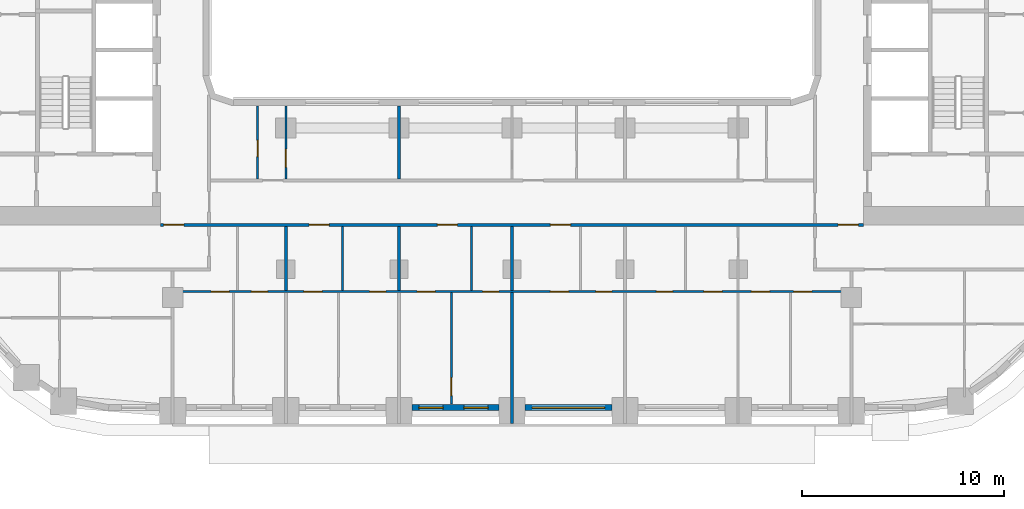
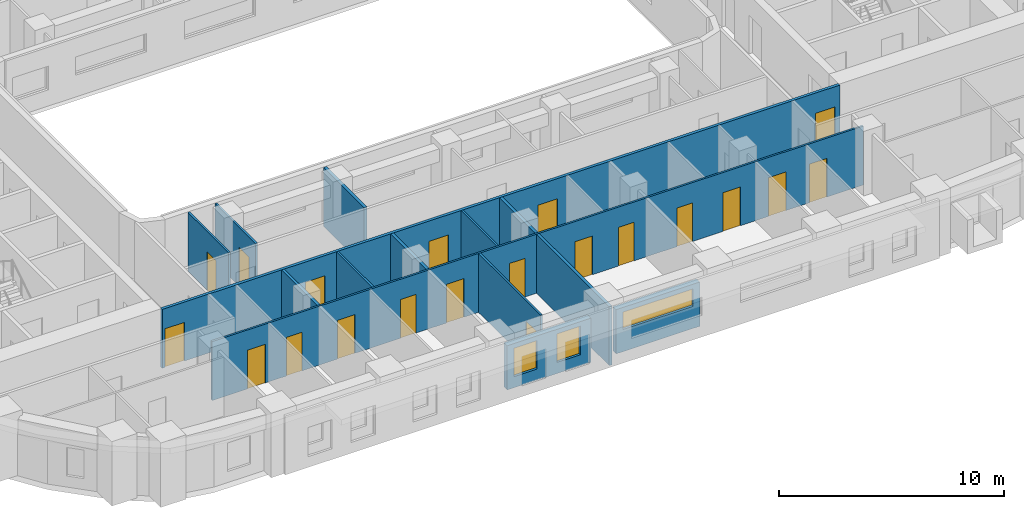
# One storey, part 3 of 23: 20 doors, 14 walls, 3 windows, 23 openings.
"""IFC4 building model written with IfcOpenShell, lengths in metres."""

import ifcopenshell
import ifcopenshell.guid

model = None  # the IFC model being written
_history = None  # IfcOwnerHistory: only IFC2X3 demands one
_inside = {}  # id of a spatial element -> (the spatial element, [elements in it])
_under = {}  # id of a project, library or spatial element -> (it, [spatial elements below it])
_declared = {}  # id of a project -> (the project, [libraries it declares])
_typed = {}  # id of a type object -> (the type object, [elements of that type])
_made_of = {}  # id of a material, layer set ... -> (it, [elements and type objects made of it])


def new_model(schema):
    """Start an empty IFC model of exactly this schema.

    Asked for "IFC4X3", IfcOpenShell would pick the latest addendum, in which some entities
    have other attributes; the version numbers below select the first issue.
    IFC2X3 requires an IfcOwnerHistory on every rooted entity: one is made here for all.
    """
    global model, _history
    if schema == "IFC4X3":
        model = ifcopenshell.file(schema_version=(4, 3, 0, 0))
    else:
        model = ifcopenshell.file(schema=schema)
    _inside.clear()
    _under.clear()
    _declared.clear()
    _typed.clear()
    _made_of.clear()
    _history = None
    if model.schema == "IFC2X3":
        org = make("IfcOrganization", Name="unknown")
        user = make(
            "IfcPersonAndOrganization",
            ThePerson=make("IfcPerson", FamilyName="unknown"),
            TheOrganization=org,
        )
        app = make(
            "IfcApplication",
            ApplicationDeveloper=org,
            Version="unknown",
            ApplicationFullName="unknown",
            ApplicationIdentifier="unknown",
        )
        _history = make(
            "IfcOwnerHistory",
            OwningUser=user,
            OwningApplication=app,
            ChangeAction="ADDED",
            CreationDate=0,
        )
    return model


def make(cls, **values):
    """One entity of the class cls with the attributes given. An attribute that is None is left unset."""
    return model.create_entity(
        cls, **{name: value for name, value in values.items() if value is not None}
    )


def rooted(cls, **values):
    """An entity with a GlobalId (a new one), such as an element, a storey or a relation."""
    return make(cls, GlobalId=ifcopenshell.guid.new(), OwnerHistory=_history, **values)


def si_unit(unit_type, name, prefix=None):
    """IfcSIUnit, for example si_unit("LENGTHUNIT", "METRE", prefix="MILLI")."""
    return make("IfcSIUnit", UnitType=unit_type, Prefix=prefix, Name=name)


def assignment(units):
    """IfcUnitAssignment: the units of a project."""
    return None if units is None else make("IfcUnitAssignment", Units=units)


def point(xyz):
    """IfcCartesianPoint."""
    return None if xyz is None else make("IfcCartesianPoint", Coordinates=xyz)


def direction(xyz):
    """IfcDirection."""
    return None if xyz is None else make("IfcDirection", DirectionRatios=xyz)


def frame(location, z_axis=None, x_axis=None):
    """IfcAxis2Placement3D, a coordinate frame: its origin and axes. An axis left out is left unset."""
    return make(
        "IfcAxis2Placement3D",
        Location=point(location),
        Axis=direction(z_axis),
        RefDirection=direction(x_axis),
    )


def frame_2d(location, x_axis=None):
    """IfcAxis2Placement2D, a coordinate frame in the plane: its origin and x axis."""
    return make(
        "IfcAxis2Placement2D", Location=point(location), RefDirection=direction(x_axis)
    )


def origin():
    """The frame at (0, 0, 0) with its axes left unset."""
    return frame((0.0, 0.0, 0.0))


def place(relative_to, where):
    """IfcLocalPlacement: puts the frame where relative to a parent placement (None: the world)."""
    return make(
        "IfcLocalPlacement", PlacementRelTo=relative_to, RelativePlacement=where
    )


def context(
    kind, dimensions, precision=None, world=None, true_north=None, identifier=None
):
    """IfcGeometricRepresentationContext, for example the 3D "Model" context."""
    return make(
        "IfcGeometricRepresentationContext",
        ContextIdentifier=identifier,
        ContextType=kind,
        CoordinateSpaceDimension=dimensions,
        Precision=precision,
        WorldCoordinateSystem=world,
        TrueNorth=true_north,
    )


def subcontext(parent, identifier, kind, view, scale=None):
    """IfcGeometricRepresentationSubContext, for example "Body" below "Model"."""
    return make(
        "IfcGeometricRepresentationSubContext",
        ContextIdentifier=identifier,
        ContextType=kind,
        ParentContext=parent,
        TargetScale=scale,
        TargetView=view,
    )


def project(units=None, contexts=None):
    """IfcProject with its units and contexts."""
    return rooted(
        "IfcProject",
        Name="project",
        RepresentationContexts=contexts,
        UnitsInContext=assignment(units),
    )


def spatial(cls, under=None, at=None, **own):
    """A site, building, storey or space (cls), placed at a placement, below another one or the project."""
    s = rooted(cls, ObjectPlacement=at, **own)
    if under is not None:
        _under.setdefault(under.id(), (under, []))[1].append(s)
    return s


def profile(cls, at=None, kind="AREA", **sizes):
    """A parametric profile (cls). Its sizes go by their IFC names, for example OverallWidth=200.0."""
    return make(cls, ProfileType=kind, Position=at, **sizes)


def rectangle(**sizes):
    """IfcRectangleProfileDef."""
    return profile("IfcRectangleProfileDef", **sizes)


def extrude(swept, where, along, depth):
    """IfcExtrudedAreaSolid: the profile swept, set in the frame where, extruded along a direction by depth."""
    return make(
        "IfcExtrudedAreaSolid",
        SweptArea=swept,
        Position=where,
        ExtrudedDirection=direction(along),
        Depth=depth,
    )


def shape(context_of_items, identifier, shape_type, items):
    """IfcShapeRepresentation: the items that make up one representation, for example the "Body"."""
    return make(
        "IfcShapeRepresentation",
        ContextOfItems=context_of_items,
        RepresentationIdentifier=identifier,
        RepresentationType=shape_type,
        Items=items,
    )


def material(Name=None, Category=None):
    """IfcMaterial."""
    return make("IfcMaterial", Name=Name, Category=Category)


def layer(
    of_material, thickness, ventilated=None, Name=None, Category=None, Priority=None
):
    """IfcMaterialLayer: one layer of a wall or slab, of a material (None: an air gap)."""
    return make(
        "IfcMaterialLayer",
        Material=of_material,
        LayerThickness=thickness,
        IsVentilated=ventilated,
        Name=Name,
        Category=Category,
        Priority=Priority,
    )


def layer_set(layers, Name=None):
    """IfcMaterialLayerSet."""
    return make("IfcMaterialLayerSet", MaterialLayers=layers, LayerSetName=Name)


def made_of(thing, what):
    """Note that an element or type object is made of a material, layer set ...; save() writes the relation."""
    if what is not None:
        _made_of.setdefault(what.id(), (what, []))[1].append(thing)
    return thing


def type_object(cls, material=None, **own):
    """A type object (cls), such as IfcWallType, which elements share."""
    return made_of(rooted(cls, **own), material)


def element(
    cls,
    number,
    at=None,
    inside=None,
    cuts=None,
    type_object=None,
    material=None,
    context=None,
    identifier="Body",
    shape_type=None,
    held_by="IfcProductDefinitionShape",
    body=None,
    shapes=None,
    **own,
):
    """One element of the class cls, such as IfcWall. Its Tag is "e" and its number.

    at: its placement. inside: the storey or other place that contains it. cuts: it is an
    opening in that element (IfcRelVoidsElement). A single representation is given by context,
    identifier, shape_type and body (its items); several are given by shapes. held_by: the class
    of the entity that holds the representations. save() writes the other relations.
    """
    e = rooted(cls, Tag="e%d" % number, ObjectPlacement=at, **own)
    if body is not None:
        shapes = [shape(context, identifier, shape_type, body)]
    if shapes is not None:
        e.Representation = make(held_by, Representations=shapes)
    if inside is not None:
        _inside.setdefault(inside.id(), (inside, []))[1].append(e)
    if cuts is not None:
        rooted(
            "IfcRelVoidsElement", RelatingBuildingElement=cuts, RelatedOpeningElement=e
        )
    if type_object is not None:
        _typed.setdefault(type_object.id(), (type_object, []))[1].append(e)
    return made_of(e, material)


def fill(opening, filler):
    """IfcRelFillsElement: the door or window that sits in an opening."""
    return rooted(
        "IfcRelFillsElement",
        RelatingOpeningElement=opening,
        RelatedBuildingElement=filler,
    )


def aggregate(whole, parts):
    """IfcRelAggregates: a whole, such as a stair, and the parts it consists of."""
    return rooted("IfcRelAggregates", RelatingObject=whole, RelatedObjects=parts)


def save(model, path):
    """Write the relations noted so far, then the file.

    IfcRelAggregates (storeys below a building ...), IfcRelContainedInSpatialStructure (elements
    in a storey), IfcRelDefinesByType, IfcRelAssociatesMaterial and IfcRelDeclares: one each for
    every whole, place, type object, material and project.
    """
    for whole, parts in _under.values():
        aggregate(whole, parts)
    for where, things in _inside.values():
        rooted(
            "IfcRelContainedInSpatialStructure",
            RelatedElements=things,
            RelatingStructure=where,
        )
    for kind, things in _typed.values():
        rooted("IfcRelDefinesByType", RelatedObjects=things, RelatingType=kind)
    for what, things in _made_of.values():
        rooted("IfcRelAssociatesMaterial", RelatedObjects=things, RelatingMaterial=what)
    for by, libraries in _declared.values():
        rooted("IfcRelDeclares", RelatingContext=by, RelatedDefinitions=libraries)
    model.write(path)


model = new_model("IFC4")

# Units and contexts
model_context = context("Model", 3, precision=1e-05, world=origin(), true_north=direction((0.0, 1.0)))
body_context = subcontext(model_context, "Body", "Model", "MODEL_VIEW")
ifc_project = project(units=[si_unit("LENGTHUNIT", "METRE"), si_unit("AREAUNIT", "SQUARE_METRE"), si_unit("VOLUMEUNIT", "CUBIC_METRE"), si_unit("PLANEANGLEUNIT", "RADIAN"), si_unit("MASSUNIT", "GRAM", prefix="KILO")], contexts=[model_context])

# Site, building, storey
site_placement = place(None, origin())
site = spatial("IfcSite", under=ifc_project, at=site_placement, CompositionType="ELEMENT")
building_placement = place(site_placement, origin())
building = spatial("IfcBuilding", under=site, at=building_placement, Name="Kiln Ring Residences", CompositionType="ELEMENT")
storey_placement = place(building_placement, frame((0.0, 0.0, 86.800048828125)))
storey = spatial("IfcBuildingStorey", under=building, at=storey_placement, Name="L21", CompositionType="ELEMENT", Elevation=86.800048828125)

# Wall, openings, windows
ifc_material_1 = material(Name="Brick masonry, dark clay brick", Category="masonry")
ifc_layer_1 = layer(ifc_material_1, 0.300048828125)
ifc_layer_set_1 = layer_set([ifc_layer_1], Name="EW-300 BRICK WALL")
wall_type_1 = type_object("IfcWallType", Name="EW-300 BRICK WALL", PredefinedType="SOLIDWALL", material=ifc_layer_set_1)
wall_1_placement = place(storey_placement, frame((-4.949951171875, -22.25, 0.0), z_axis=(0.0, 0.0, 1.0), x_axis=(1.0, 0.0, 0.0)))
wall_1 = element("IfcWall", 1, at=wall_1_placement, inside=storey, type_object=wall_type_1, Name="Facade wall L21 7", PredefinedType="SOLIDWALL", context=body_context, shape_type="SweptSolid", body=[
    extrude(rectangle(XDim=4.300048828125, YDim=0.300048828125, at=frame_2d((2.14990234375, 0.0))), origin(), (0.0, 0.0, 1.0), 2.39990234375),
])
opening_1_placement = place(wall_1_placement, frame((0.33740234375, 0.0, 0.60009765625)))
opening_1 = element("IfcOpeningElement", 2, at=opening_1_placement, cuts=wall_1, Name="Opening W1", PredefinedType="OPENING", context=body_context, shape_type="SweptSolid", body=[
    extrude(rectangle(XDim=1.199951171875, YDim=1.550048828125, at=frame_2d((0.60009765625, 0.77490234375))), frame((0.0, 0.159912109375, 0.0), z_axis=(0.0, -1.0, 0.0), x_axis=(1.0, 0.0, 0.0)), (0.0, 0.0, 1.0), 0.320068359375),
])
opening_2_placement = place(wall_1_placement, frame((2.5625, 0.0, 0.60009765625)))
opening_2 = element("IfcOpeningElement", 3, at=opening_2_placement, cuts=wall_1, Name="Opening W1", PredefinedType="OPENING", context=body_context, shape_type="SweptSolid", body=[
    extrude(rectangle(XDim=1.199951171875, YDim=1.550048828125, at=frame_2d((0.60009765625, 0.77490234375))), frame((0.0, 0.159912109375, 0.0), z_axis=(0.0, -1.0, 0.0), x_axis=(1.0, 0.0, 0.0)), (0.0, 0.0, 1.0), 0.320068359375),
])
ifc_material_2 = material(Name="Aluminium frame with double glazing", Category="aluminium")
window_type_1 = type_object("IfcWindowType", Name="WINDOW 1200 x 1550", PartitioningType="SINGLE_PANEL", PredefinedType="WINDOW", material=ifc_material_2)
window_1_placement = place(opening_1_placement, origin())
window_1 = element("IfcWindow", 4, at=window_1_placement, inside=storey, type_object=window_type_1, Name="Window L21 7", OverallHeight=1.550048828125, OverallWidth=1.199951171875, PartitioningType="SINGLE_PANEL", PredefinedType="WINDOW", context=body_context, shape_type="SweptSolid", body=[
    extrude(rectangle(XDim=1.199951171875, YDim=1.550048828125, at=frame_2d((0.60009765625, 0.77490234375))), frame((0.0, 0.030029296875, 0.0), z_axis=(0.0, -1.0, 0.0), x_axis=(1.0, 0.0, 0.0)), (0.0, 0.0, 1.0), 0.06005859375),
])
fill(opening_1, window_1)
window_2_placement = place(opening_2_placement, origin())
window_2 = element("IfcWindow", 5, at=window_2_placement, inside=storey, type_object=window_type_1, Name="Window L21 8", OverallHeight=1.550048828125, OverallWidth=1.199951171875, PartitioningType="SINGLE_PANEL", PredefinedType="WINDOW", context=body_context, shape_type="SweptSolid", body=[
    extrude(rectangle(XDim=1.199951171875, YDim=1.550048828125, at=frame_2d((0.60009765625, 0.77490234375))), frame((0.0, 0.030029296875, 0.0), z_axis=(0.0, -1.0, 0.0), x_axis=(1.0, 0.0, 0.0)), (0.0, 0.0, 1.0), 0.06005859375),
])
fill(opening_2, window_2)

# Wall, opening, window
wall_2_placement = place(storey_placement, frame((0.64990234375, -22.25, 0.0), z_axis=(0.0, 0.0, 1.0), x_axis=(1.0, 0.0, 0.0)))
wall_2 = element("IfcWall", 6, at=wall_2_placement, inside=storey, type_object=wall_type_1, Name="Facade wall L21 8", PredefinedType="SOLIDWALL", context=body_context, shape_type="SweptSolid", body=[
    extrude(rectangle(XDim=4.300048828125, YDim=0.300048828125, at=frame_2d((2.14990234375, 0.0))), origin(), (0.0, 0.0, 1.0), 2.39990234375),
])
opening_3_placement = place(wall_2_placement, frame((0.35009765625, 0.0, 1.199951171875)))
opening_3 = element("IfcOpeningElement", 7, at=opening_3_placement, cuts=wall_2, Name="Opening W4", PredefinedType="OPENING", context=body_context, shape_type="SweptSolid", body=[
    extrude(rectangle(XDim=3.60009765625, YDim=0.949951171875, at=frame_2d((1.800048828125, 0.47509765625))), frame((0.0, 0.159912109375, 0.0), z_axis=(0.0, -1.0, 0.0), x_axis=(1.0, 0.0, 0.0)), (0.0, 0.0, 1.0), 0.320068359375),
])
ifc_material_3 = material(Name="Aluminium frame with double glazing", Category="aluminium")
window_type_2 = type_object("IfcWindowType", Name="WINDOW 3600 x 950", PartitioningType="SINGLE_PANEL", PredefinedType="WINDOW", material=ifc_material_3)
window_3_placement = place(opening_3_placement, origin())
window_3 = element("IfcWindow", 8, at=window_3_placement, inside=storey, type_object=window_type_2, Name="Window L21 9", OverallHeight=0.949951171875, OverallWidth=3.60009765625, PartitioningType="SINGLE_PANEL", PredefinedType="WINDOW", context=body_context, shape_type="SweptSolid", body=[
    extrude(rectangle(XDim=3.60009765625, YDim=0.949951171875, at=frame_2d((1.800048828125, 0.47509765625))), frame((0.0, 0.030029296875, 0.0), z_axis=(0.0, -1.0, 0.0), x_axis=(1.0, 0.0, 0.0)), (0.0, 0.0, 1.0), 0.06005859375),
])
fill(opening_3, window_3)

# Wall, openings, doors
ifc_material_4 = material(Name="Gypsum board on steel studs", Category="steel")
ifc_layer_2 = layer(ifc_material_4, 0.10009765625)
ifc_layer_set_2 = layer_set([ifc_layer_2], Name="PARTITION-100")
wall_type_2 = type_object("IfcWallType", Name="PARTITION-100", PredefinedType="PARTITIONING", material=ifc_layer_set_2)
wall_3_placement = place(storey_placement, frame((-16.72509765625, -16.5, 0.0), z_axis=(0.0, 0.0, 1.0), x_axis=(1.0, 0.0, 0.0)))
wall_3 = element("IfcWall", 9, at=wall_3_placement, inside=storey, type_object=wall_type_2, Name="Partition 002", PredefinedType="PARTITIONING", context=body_context, shape_type="SweptSolid", body=[
    extrude(rectangle(XDim=33.4501953125, YDim=0.10009765625, at=frame_2d((16.72509765625, 0.0))), origin(), (0.0, 0.0, 1.0), 3.199951171875),
])
opening_4_placement = place(wall_3_placement, frame((3.824951171875, 0.0, 0.0)))
opening_4 = element("IfcOpeningElement", 10, at=opening_4_placement, cuts=wall_3, Name="Opening L21-D053", PredefinedType="OPENING", context=body_context, shape_type="SweptSolid", body=[
    extrude(rectangle(XDim=0.800048828125, YDim=2.10009765625, at=frame_2d((0.39990234375, 1.050048828125))), frame((0.0, 0.06005859375, 0.0), z_axis=(0.0, -1.0, 0.0), x_axis=(1.0, 0.0, 0.0)), (0.0, 0.0, 1.0), 0.1201171875),
])
opening_5_placement = place(wall_3_placement, frame((1.824951171875, 0.0, 0.0)))
opening_5 = element("IfcOpeningElement", 11, at=opening_5_placement, cuts=wall_3, Name="Opening L21-D054", PredefinedType="OPENING", context=body_context, shape_type="SweptSolid", body=[
    extrude(rectangle(XDim=0.89990234375, YDim=2.10009765625, at=frame_2d((0.449951171875, 1.050048828125))), frame((0.0, 0.06005859375, 0.0), z_axis=(0.0, -1.0, 0.0), x_axis=(1.0, 0.0, 0.0)), (0.0, 0.0, 1.0), 0.1201171875),
])
opening_6_placement = place(wall_3_placement, frame((9.675048828125, 0.0, 0.0)))
opening_6 = element("IfcOpeningElement", 12, at=opening_6_placement, cuts=wall_3, Name="Opening L21-D057", PredefinedType="OPENING", context=body_context, shape_type="SweptSolid", body=[
    extrude(rectangle(XDim=0.800048828125, YDim=2.10009765625, at=frame_2d((0.39990234375, 1.050048828125))), frame((0.0, 0.06005859375, 0.0), z_axis=(0.0, -1.0, 0.0), x_axis=(1.0, 0.0, 0.0)), (0.0, 0.0, 1.0), 0.1201171875),
])
opening_7_placement = place(wall_3_placement, frame((6.425048828125, 0.0, 0.0)))
opening_7 = element("IfcOpeningElement", 13, at=opening_7_placement, cuts=wall_3, Name="Opening L21-D058", PredefinedType="OPENING", context=body_context, shape_type="SweptSolid", body=[
    extrude(rectangle(XDim=0.89990234375, YDim=2.10009765625, at=frame_2d((0.449951171875, 1.050048828125))), frame((0.0, 0.06005859375, 0.0), z_axis=(0.0, -1.0, 0.0), x_axis=(1.0, 0.0, 0.0)), (0.0, 0.0, 1.0), 0.1201171875),
])
opening_8_placement = place(wall_3_placement, frame((15.27490234375, 0.0, 0.0)))
opening_8 = element("IfcOpeningElement", 14, at=opening_8_placement, cuts=wall_3, Name="Opening L21-D061", PredefinedType="OPENING", context=body_context, shape_type="SweptSolid", body=[
    extrude(rectangle(XDim=0.800048828125, YDim=2.10009765625, at=frame_2d((0.39990234375, 1.050048828125))), frame((0.0, 0.06005859375, 0.0), z_axis=(0.0, -1.0, 0.0), x_axis=(1.0, 0.0, 0.0)), (0.0, 0.0, 1.0), 0.1201171875),
])
opening_9_placement = place(wall_3_placement, frame((12.02490234375, 0.0, 0.0)))
opening_9 = element("IfcOpeningElement", 15, at=opening_9_placement, cuts=wall_3, Name="Opening L21-D062", PredefinedType="OPENING", context=body_context, shape_type="SweptSolid", body=[
    extrude(rectangle(XDim=0.89990234375, YDim=2.10009765625, at=frame_2d((0.449951171875, 1.050048828125))), frame((0.0, 0.06005859375, 0.0), z_axis=(0.0, -1.0, 0.0), x_axis=(1.0, 0.0, 0.0)), (0.0, 0.0, 1.0), 0.1201171875),
])
opening_10_placement = place(wall_3_placement, frame((20.875, 0.0, 0.0)))
opening_10 = element("IfcOpeningElement", 16, at=opening_10_placement, cuts=wall_3, Name="Opening L21-D065", PredefinedType="OPENING", context=body_context, shape_type="SweptSolid", body=[
    extrude(rectangle(XDim=0.800048828125, YDim=2.10009765625, at=frame_2d((0.39990234375, 1.050048828125))), frame((0.0, 0.06005859375, 0.0), z_axis=(0.0, -1.0, 0.0), x_axis=(1.0, 0.0, 0.0)), (0.0, 0.0, 1.0), 0.1201171875),
])
opening_11_placement = place(wall_3_placement, frame((18.625, 0.0, 0.0)))
opening_11 = element("IfcOpeningElement", 17, at=opening_11_placement, cuts=wall_3, Name="Opening L21-D066", PredefinedType="OPENING", context=body_context, shape_type="SweptSolid", body=[
    extrude(rectangle(XDim=0.89990234375, YDim=2.10009765625, at=frame_2d((0.449951171875, 1.050048828125))), frame((0.0, 0.06005859375, 0.0), z_axis=(0.0, -1.0, 0.0), x_axis=(1.0, 0.0, 0.0)), (0.0, 0.0, 1.0), 0.1201171875),
])
opening_12_placement = place(wall_3_placement, frame((23.875, 0.0, 0.0)))
opening_12 = element("IfcOpeningElement", 18, at=opening_12_placement, cuts=wall_3, Name="Opening L21-D069", PredefinedType="OPENING", context=body_context, shape_type="SweptSolid", body=[
    extrude(rectangle(XDim=0.800048828125, YDim=2.10009765625, at=frame_2d((0.39990234375, 1.050048828125))), frame((0.0, 0.06005859375, 0.0), z_axis=(0.0, -1.0, 0.0), x_axis=(1.0, 0.0, 0.0)), (0.0, 0.0, 1.0), 0.1201171875),
])
opening_13_placement = place(wall_3_placement, frame((26.22509765625, 0.0, 0.0)))
opening_13 = element("IfcOpeningElement", 19, at=opening_13_placement, cuts=wall_3, Name="Opening L21-D070", PredefinedType="OPENING", context=body_context, shape_type="SweptSolid", body=[
    extrude(rectangle(XDim=0.89990234375, YDim=2.10009765625, at=frame_2d((0.449951171875, 1.050048828125))), frame((0.0, 0.06005859375, 0.0), z_axis=(0.0, -1.0, 0.0), x_axis=(1.0, 0.0, 0.0)), (0.0, 0.0, 1.0), 0.1201171875),
])
opening_14_placement = place(wall_3_placement, frame((28.574951171875, 0.0, 0.0)))
opening_14 = element("IfcOpeningElement", 20, at=opening_14_placement, cuts=wall_3, Name="Opening L21-D071", PredefinedType="OPENING", context=body_context, shape_type="SweptSolid", body=[
    extrude(rectangle(XDim=0.89990234375, YDim=2.10009765625, at=frame_2d((0.449951171875, 1.050048828125))), frame((0.0, 0.06005859375, 0.0), z_axis=(0.0, -1.0, 0.0), x_axis=(1.0, 0.0, 0.0)), (0.0, 0.0, 1.0), 0.1201171875),
])
opening_15_placement = place(wall_3_placement, frame((30.675048828125, 0.0, 0.0)))
opening_15 = element("IfcOpeningElement", 21, at=opening_15_placement, cuts=wall_3, Name="Opening L21-D072", PredefinedType="OPENING", context=body_context, shape_type="SweptSolid", body=[
    extrude(rectangle(XDim=0.89990234375, YDim=2.10009765625, at=frame_2d((0.449951171875, 1.050048828125))), frame((0.0, 0.06005859375, 0.0), z_axis=(0.0, -1.0, 0.0), x_axis=(1.0, 0.0, 0.0)), (0.0, 0.0, 1.0), 0.1201171875),
])
ifc_material_5 = material(Name="Timber door leaf", Category="wood")
door_type_1 = type_object("IfcDoorType", Name="FLAT-DOOR-800-PL", OperationType="SINGLE_SWING_LEFT", PredefinedType="DOOR", material=ifc_material_5)
door_1_placement = place(opening_4_placement, origin())
door_1 = element("IfcDoor", 22, at=door_1_placement, inside=storey, type_object=door_type_1, Name="Door L21-D053", OperationType="SINGLE_SWING_LEFT", OverallHeight=2.10009765625, OverallWidth=0.800048828125, PredefinedType="DOOR", context=body_context, shape_type="SweptSolid", body=[
    extrude(rectangle(XDim=0.800048828125, YDim=2.10009765625, at=frame_2d((0.39990234375, 1.050048828125))), frame((0.0, 0.02490234375, 0.0), z_axis=(0.0, -1.0, 0.0), x_axis=(1.0, 0.0, 0.0)), (0.0, 0.0, 1.0), 0.050048828125),
])
fill(opening_4, door_1)
door_2_placement = place(opening_6_placement, origin())
door_2 = element("IfcDoor", 23, at=door_2_placement, inside=storey, type_object=door_type_1, Name="Door L21-D057", OperationType="SINGLE_SWING_LEFT", OverallHeight=2.10009765625, OverallWidth=0.800048828125, PredefinedType="DOOR", context=body_context, shape_type="SweptSolid", body=[
    extrude(rectangle(XDim=0.800048828125, YDim=2.10009765625, at=frame_2d((0.39990234375, 1.050048828125))), frame((0.0, 0.02490234375, 0.0), z_axis=(0.0, -1.0, 0.0), x_axis=(1.0, 0.0, 0.0)), (0.0, 0.0, 1.0), 0.050048828125),
])
fill(opening_6, door_2)
door_3_placement = place(opening_8_placement, origin())
door_3 = element("IfcDoor", 24, at=door_3_placement, inside=storey, type_object=door_type_1, Name="Door L21-D061", OperationType="SINGLE_SWING_LEFT", OverallHeight=2.10009765625, OverallWidth=0.800048828125, PredefinedType="DOOR", context=body_context, shape_type="SweptSolid", body=[
    extrude(rectangle(XDim=0.800048828125, YDim=2.10009765625, at=frame_2d((0.39990234375, 1.050048828125))), frame((0.0, 0.02490234375, 0.0), z_axis=(0.0, -1.0, 0.0), x_axis=(1.0, 0.0, 0.0)), (0.0, 0.0, 1.0), 0.050048828125),
])
fill(opening_8, door_3)
door_4_placement = place(opening_10_placement, origin())
door_4 = element("IfcDoor", 25, at=door_4_placement, inside=storey, type_object=door_type_1, Name="Door L21-D065", OperationType="SINGLE_SWING_LEFT", OverallHeight=2.10009765625, OverallWidth=0.800048828125, PredefinedType="DOOR", context=body_context, shape_type="SweptSolid", body=[
    extrude(rectangle(XDim=0.800048828125, YDim=2.10009765625, at=frame_2d((0.39990234375, 1.050048828125))), frame((0.0, 0.02490234375, 0.0), z_axis=(0.0, -1.0, 0.0), x_axis=(1.0, 0.0, 0.0)), (0.0, 0.0, 1.0), 0.050048828125),
])
fill(opening_10, door_4)
door_5_placement = place(opening_12_placement, origin())
door_5 = element("IfcDoor", 26, at=door_5_placement, inside=storey, type_object=door_type_1, Name="Door L21-D069", OperationType="SINGLE_SWING_LEFT", OverallHeight=2.10009765625, OverallWidth=0.800048828125, PredefinedType="DOOR", context=body_context, shape_type="SweptSolid", body=[
    extrude(rectangle(XDim=0.800048828125, YDim=2.10009765625, at=frame_2d((0.39990234375, 1.050048828125))), frame((0.0, 0.02490234375, 0.0), z_axis=(0.0, -1.0, 0.0), x_axis=(1.0, 0.0, 0.0)), (0.0, 0.0, 1.0), 0.050048828125),
])
fill(opening_12, door_5)
ifc_material_6 = material(Name="Timber door leaf", Category="wood")
door_type_2 = type_object("IfcDoorType", Name="FLAT-DOOR-900-PL", OperationType="SINGLE_SWING_LEFT", PredefinedType="DOOR", material=ifc_material_6)
door_6_placement = place(opening_5_placement, origin())
door_6 = element("IfcDoor", 27, at=door_6_placement, inside=storey, type_object=door_type_2, Name="Door L21-D054", OperationType="SINGLE_SWING_RIGHT", OverallHeight=2.10009765625, OverallWidth=0.89990234375, PredefinedType="DOOR", context=body_context, shape_type="SweptSolid", body=[
    extrude(rectangle(XDim=0.89990234375, YDim=2.10009765625, at=frame_2d((0.449951171875, 1.050048828125))), frame((0.0, 0.02490234375, 0.0), z_axis=(0.0, -1.0, 0.0), x_axis=(1.0, 0.0, 0.0)), (0.0, 0.0, 1.0), 0.050048828125),
])
fill(opening_5, door_6)
door_7_placement = place(opening_7_placement, origin())
door_7 = element("IfcDoor", 28, at=door_7_placement, inside=storey, type_object=door_type_2, Name="Door L21-D058", OperationType="SINGLE_SWING_RIGHT", OverallHeight=2.10009765625, OverallWidth=0.89990234375, PredefinedType="DOOR", context=body_context, shape_type="SweptSolid", body=[
    extrude(rectangle(XDim=0.89990234375, YDim=2.10009765625, at=frame_2d((0.449951171875, 1.050048828125))), frame((0.0, 0.02490234375, 0.0), z_axis=(0.0, -1.0, 0.0), x_axis=(1.0, 0.0, 0.0)), (0.0, 0.0, 1.0), 0.050048828125),
])
fill(opening_7, door_7)
door_8_placement = place(opening_9_placement, origin())
door_8 = element("IfcDoor", 29, at=door_8_placement, inside=storey, type_object=door_type_2, Name="Door L21-D062", OperationType="SINGLE_SWING_RIGHT", OverallHeight=2.10009765625, OverallWidth=0.89990234375, PredefinedType="DOOR", context=body_context, shape_type="SweptSolid", body=[
    extrude(rectangle(XDim=0.89990234375, YDim=2.10009765625, at=frame_2d((0.449951171875, 1.050048828125))), frame((0.0, 0.02490234375, 0.0), z_axis=(0.0, -1.0, 0.0), x_axis=(1.0, 0.0, 0.0)), (0.0, 0.0, 1.0), 0.050048828125),
])
fill(opening_9, door_8)
door_9_placement = place(opening_11_placement, origin())
door_9 = element("IfcDoor", 30, at=door_9_placement, inside=storey, type_object=door_type_2, Name="Door L21-D066", OperationType="SINGLE_SWING_RIGHT", OverallHeight=2.10009765625, OverallWidth=0.89990234375, PredefinedType="DOOR", context=body_context, shape_type="SweptSolid", body=[
    extrude(rectangle(XDim=0.89990234375, YDim=2.10009765625, at=frame_2d((0.449951171875, 1.050048828125))), frame((0.0, 0.02490234375, 0.0), z_axis=(0.0, -1.0, 0.0), x_axis=(1.0, 0.0, 0.0)), (0.0, 0.0, 1.0), 0.050048828125),
])
fill(opening_11, door_9)
door_10_placement = place(opening_13_placement, origin())
door_10 = element("IfcDoor", 31, at=door_10_placement, inside=storey, type_object=door_type_2, Name="Door L21-D070", OperationType="SINGLE_SWING_RIGHT", OverallHeight=2.10009765625, OverallWidth=0.89990234375, PredefinedType="DOOR", context=body_context, shape_type="SweptSolid", body=[
    extrude(rectangle(XDim=0.89990234375, YDim=2.10009765625, at=frame_2d((0.449951171875, 1.050048828125))), frame((0.0, 0.02490234375, 0.0), z_axis=(0.0, -1.0, 0.0), x_axis=(1.0, 0.0, 0.0)), (0.0, 0.0, 1.0), 0.050048828125),
])
fill(opening_13, door_10)
door_11_placement = place(opening_14_placement, origin())
door_11 = element("IfcDoor", 32, at=door_11_placement, inside=storey, type_object=door_type_2, Name="Door L21-D071", OperationType="SINGLE_SWING_LEFT", OverallHeight=2.10009765625, OverallWidth=0.89990234375, PredefinedType="DOOR", context=body_context, shape_type="SweptSolid", body=[
    extrude(rectangle(XDim=0.89990234375, YDim=2.10009765625, at=frame_2d((0.449951171875, 1.050048828125))), frame((0.0, 0.02490234375, 0.0), z_axis=(0.0, -1.0, 0.0), x_axis=(1.0, 0.0, 0.0)), (0.0, 0.0, 1.0), 0.050048828125),
])
fill(opening_14, door_11)
door_12_placement = place(opening_15_placement, origin())
door_12 = element("IfcDoor", 33, at=door_12_placement, inside=storey, type_object=door_type_2, Name="Door L21-D072", OperationType="SINGLE_SWING_LEFT", OverallHeight=2.10009765625, OverallWidth=0.89990234375, PredefinedType="DOOR", context=body_context, shape_type="SweptSolid", body=[
    extrude(rectangle(XDim=0.89990234375, YDim=2.10009765625, at=frame_2d((0.449951171875, 1.050048828125))), frame((0.0, 0.02490234375, 0.0), z_axis=(0.0, -1.0, 0.0), x_axis=(1.0, 0.0, 0.0)), (0.0, 0.0, 1.0), 0.050048828125),
])
fill(opening_15, door_12)

# Wall, opening, door
wall_4_placement = place(storey_placement, frame((-12.60009765625, -10.925048828125, 0.0), z_axis=(0.0, 0.0, 1.0), x_axis=(0.0, 1.0, 0.0)))
wall_4 = element("IfcWall", 34, at=wall_4_placement, inside=storey, type_object=wall_type_2, Name="Partition 028", PredefinedType="PARTITIONING", context=body_context, shape_type="SweptSolid", body=[
    extrude(rectangle(XDim=3.60498046875, YDim=0.10009765625, at=frame_2d((1.802490234375, 0.0))), origin(), (0.0, 0.0, 1.0), 3.199951171875),
])
opening_16_placement = place(wall_4_placement, frame((1.10498046875, 0.0, 0.0)))
opening_16 = element("IfcOpeningElement", 35, at=opening_16_placement, cuts=wall_4, Name="Opening L21-D044", PredefinedType="OPENING", context=body_context, shape_type="SweptSolid", body=[
    extrude(rectangle(XDim=0.800048828125, YDim=2.10009765625, at=frame_2d((0.39990234375, 1.050048828125))), frame((0.0, 0.06005859375, 0.0), z_axis=(0.0, -1.0, 0.0), x_axis=(1.0, 0.0, 0.0)), (0.0, 0.0, 1.0), 0.1201171875),
])
door_13_placement = place(opening_16_placement, origin())
door_13 = element("IfcDoor", 36, at=door_13_placement, inside=storey, type_object=door_type_1, Name="Door L21-D044", OperationType="SINGLE_SWING_RIGHT", OverallHeight=2.10009765625, OverallWidth=0.800048828125, PredefinedType="DOOR", context=body_context, shape_type="SweptSolid", body=[
    extrude(rectangle(XDim=0.800048828125, YDim=2.10009765625, at=frame_2d((0.39990234375, 1.050048828125))), frame((0.0, 0.02490234375, 0.0), z_axis=(0.0, -1.0, 0.0), x_axis=(1.0, 0.0, 0.0)), (0.0, 0.0, 1.0), 0.050048828125),
])
fill(opening_16, door_13)

wall_5_placement = place(storey_placement, frame((-11.199951171875, -10.925048828125, 0.0), z_axis=(0.0, 0.0, 1.0), x_axis=(0.0, 1.0, 0.0)))
wall_5 = element("IfcWall", 37, at=wall_5_placement, inside=storey, type_object=wall_type_2, Name="Partition 029", PredefinedType="PARTITIONING", context=body_context, shape_type="SweptSolid", body=[
    extrude(rectangle(XDim=3.60498046875, YDim=0.10009765625, at=frame_2d((1.802490234375, 0.0))), origin(), (0.0, 0.0, 1.0), 3.199951171875),
])
opening_17_placement = place(wall_5_placement, frame((0.575927734375, 0.0, 0.0)))
opening_17 = element("IfcOpeningElement", 38, at=opening_17_placement, cuts=wall_5, Name="Opening L21-D045", PredefinedType="OPENING", context=body_context, shape_type="SweptSolid", body=[
    extrude(rectangle(XDim=0.89990234375, YDim=2.10009765625, at=frame_2d((0.449951171875, 1.050048828125))), frame((0.0, 0.06005859375, 0.0), z_axis=(0.0, -1.0, 0.0), x_axis=(1.0, 0.0, 0.0)), (0.0, 0.0, 1.0), 0.1201171875),
])
door_14_placement = place(opening_17_placement, origin())
door_14 = element("IfcDoor", 39, at=door_14_placement, inside=storey, type_object=door_type_2, Name="Door L21-D045", OperationType="SINGLE_SWING_LEFT", OverallHeight=2.10009765625, OverallWidth=0.89990234375, PredefinedType="DOOR", context=body_context, shape_type="SweptSolid", body=[
    extrude(rectangle(XDim=0.89990234375, YDim=2.10009765625, at=frame_2d((0.449951171875, 1.050048828125))), frame((0.0, 0.02490234375, 0.0), z_axis=(0.0, -1.0, 0.0), x_axis=(1.0, 0.0, 0.0)), (0.0, 0.0, 1.0), 0.050048828125),
])
fill(opening_17, door_14)

# Wall
wall_6_placement = place(storey_placement, frame((-8.39990234375, -16.449951171875, 0.0), z_axis=(0.0, 0.0, 1.0), x_axis=(0.0, 1.0, 0.0)))
element("IfcWall", 40, at=wall_6_placement, inside=storey, type_object=wall_type_2, Name="Partition 037", PredefinedType="PARTITIONING", context=body_context, shape_type="SweptSolid", body=[
    extrude(rectangle(XDim=3.175048828125, YDim=0.10009765625, at=frame_2d((1.58740234375, 0.0))), origin(), (0.0, 0.0, 1.0), 3.199951171875),
])

# Wall, opening, door
wall_7_placement = place(storey_placement, frame((-3.0, -22.080078125, 0.0), z_axis=(0.0, 0.0, 1.0), x_axis=(0.0, 1.0, 0.0)))
wall_7 = element("IfcWall", 41, at=wall_7_placement, inside=storey, type_object=wall_type_2, Name="Partition 044", PredefinedType="PARTITIONING", context=body_context, shape_type="SweptSolid", body=[
    extrude(rectangle(XDim=5.530029296875, YDim=0.10009765625, at=frame_2d((2.76513671875, 0.0))), origin(), (0.0, 0.0, 1.0), 3.199951171875),
])
opening_18_placement = place(wall_7_placement, frame((0.419921875, 0.0, 0.0)))
opening_18 = element("IfcOpeningElement", 42, at=opening_18_placement, cuts=wall_7, Name="Opening L21-D063", PredefinedType="OPENING", context=body_context, shape_type="SweptSolid", body=[
    extrude(rectangle(XDim=0.89990234375, YDim=2.10009765625, at=frame_2d((0.449951171875, 1.050048828125))), frame((0.0, 0.06005859375, 0.0), z_axis=(0.0, -1.0, 0.0), x_axis=(1.0, 0.0, 0.0)), (0.0, 0.0, 1.0), 0.1201171875),
])
door_15_placement = place(opening_18_placement, origin())
door_15 = element("IfcDoor", 43, at=door_15_placement, inside=storey, type_object=door_type_2, Name="Door L21-D063", OperationType="SINGLE_SWING_LEFT", OverallHeight=2.10009765625, OverallWidth=0.89990234375, PredefinedType="DOOR", context=body_context, shape_type="SweptSolid", body=[
    extrude(rectangle(XDim=0.89990234375, YDim=2.10009765625, at=frame_2d((0.449951171875, 1.050048828125))), frame((0.0, 0.02490234375, 0.0), z_axis=(0.0, -1.0, 0.0), x_axis=(1.0, 0.0, 0.0)), (0.0, 0.0, 1.0), 0.050048828125),
])
fill(opening_18, door_15)

# Wall
wall_8_placement = place(storey_placement, frame((-2.0, -16.449951171875, 0.0), z_axis=(0.0, 0.0, 1.0), x_axis=(0.0, 1.0, 0.0)))
element("IfcWall", 44, at=wall_8_placement, inside=storey, type_object=wall_type_2, Name="Partition 046", PredefinedType="PARTITIONING", context=body_context, shape_type="SweptSolid", body=[
    extrude(rectangle(XDim=3.175048828125, YDim=0.10009765625, at=frame_2d((1.58740234375, 0.0))), origin(), (0.0, 0.0, 1.0), 3.199951171875),
])

# Wall, openings, doors
ifc_material_7 = material(Name="Brick masonry partition", Category="masonry")
ifc_layer_3 = layer(ifc_material_7, 0.14990234375)
ifc_layer_set_3 = layer_set([ifc_layer_3], Name="PARTITION-150-ei60")
wall_type_3 = type_object("IfcWallType", Name="PARTITION-150-ei60", PredefinedType="PARTITIONING", material=ifc_layer_set_3)
wall_9_placement = place(storey_placement, frame((-17.39990234375, -13.199951171875, 0.0), z_axis=(0.0, 0.0, 1.0), x_axis=(1.0, 0.0, 0.0)))
wall_9 = element("IfcWall", 45, at=wall_9_placement, inside=storey, type_object=wall_type_3, Name="Partition 005", PredefinedType="PARTITIONING", context=body_context, shape_type="SweptSolid", body=[
    extrude(rectangle(XDim=34.7998046875, YDim=0.14990234375, at=frame_2d((17.39990234375, 0.0))), origin(), (0.0, 0.0, 1.0), 3.199951171875),
])
opening_19_placement = place(wall_9_placement, frame((0.14990234375, 0.0, 0.0)))
opening_19 = element("IfcOpeningElement", 46, at=opening_19_placement, cuts=wall_9, Name="Opening L21-D007", PredefinedType="OPENING", context=body_context, shape_type="SweptSolid", body=[
    extrude(rectangle(XDim=1.0, YDim=2.10009765625, at=frame_2d((0.5, 1.050048828125))), frame((0.0, 0.0849609375, 0.0), z_axis=(0.0, -1.0, 0.0), x_axis=(1.0, 0.0, 0.0)), (0.0, 0.0, 1.0), 0.169921875),
])
opening_20_placement = place(wall_9_placement, frame((33.550048828125, 0.0, 0.0)))
opening_20 = element("IfcOpeningElement", 47, at=opening_20_placement, cuts=wall_9, Name="Opening L21-D008", PredefinedType="OPENING", context=body_context, shape_type="SweptSolid", body=[
    extrude(rectangle(XDim=1.0, YDim=2.10009765625, at=frame_2d((0.5, 1.050048828125))), frame((0.0, 0.0849609375, 0.0), z_axis=(0.0, -1.0, 0.0), x_axis=(1.0, 0.0, 0.0)), (0.0, 0.0, 1.0), 0.169921875),
])
opening_21_placement = place(wall_9_placement, frame((7.35009765625, 0.0, 0.0)))
opening_21 = element("IfcOpeningElement", 48, at=opening_21_placement, cuts=wall_9, Name="Opening L21-D056", PredefinedType="OPENING", context=body_context, shape_type="SweptSolid", body=[
    extrude(rectangle(XDim=1.0, YDim=2.10009765625, at=frame_2d((0.5, 1.050048828125))), frame((0.0, 0.0849609375, 0.0), z_axis=(0.0, -1.0, 0.0), x_axis=(1.0, 0.0, 0.0)), (0.0, 0.0, 1.0), 0.169921875),
])
opening_22_placement = place(wall_9_placement, frame((13.699951171875, 0.0, 0.0)))
opening_22 = element("IfcOpeningElement", 49, at=opening_22_placement, cuts=wall_9, Name="Opening L21-D060", PredefinedType="OPENING", context=body_context, shape_type="SweptSolid", body=[
    extrude(rectangle(XDim=1.0, YDim=2.10009765625, at=frame_2d((0.5, 1.050048828125))), frame((0.0, 0.0849609375, 0.0), z_axis=(0.0, -1.0, 0.0), x_axis=(1.0, 0.0, 0.0)), (0.0, 0.0, 1.0), 0.169921875),
])
opening_23_placement = place(wall_9_placement, frame((19.300048828125, 0.0, 0.0)))
opening_23 = element("IfcOpeningElement", 50, at=opening_23_placement, cuts=wall_9, Name="Opening L21-D064", PredefinedType="OPENING", context=body_context, shape_type="SweptSolid", body=[
    extrude(rectangle(XDim=1.0, YDim=2.10009765625, at=frame_2d((0.5, 1.050048828125))), frame((0.0, 0.0849609375, 0.0), z_axis=(0.0, -1.0, 0.0), x_axis=(1.0, 0.0, 0.0)), (0.0, 0.0, 1.0), 0.169921875),
])
ifc_material_8 = material(Name="Steel faced fire door leaf", Category="steel")
door_type_3 = type_object("IfcDoorType", Name="FLAT-DOOR-1000-FR", OperationType="SINGLE_SWING_LEFT", PredefinedType="DOOR", material=ifc_material_8)
door_16_placement = place(opening_19_placement, origin())
door_16 = element("IfcDoor", 51, at=door_16_placement, inside=storey, type_object=door_type_3, Name="Door L21-D007", OperationType="SINGLE_SWING_RIGHT", OverallHeight=2.10009765625, OverallWidth=1.0, PredefinedType="DOOR", context=body_context, shape_type="SweptSolid", body=[
    extrude(rectangle(XDim=1.0, YDim=2.10009765625, at=frame_2d((0.5, 1.050048828125))), frame((0.0, 0.02490234375, 0.0), z_axis=(0.0, -1.0, 0.0), x_axis=(1.0, 0.0, 0.0)), (0.0, 0.0, 1.0), 0.050048828125),
])
fill(opening_19, door_16)
door_17_placement = place(opening_20_placement, origin())
door_17 = element("IfcDoor", 52, at=door_17_placement, inside=storey, type_object=door_type_3, Name="Door L21-D008", OperationType="SINGLE_SWING_LEFT", OverallHeight=2.10009765625, OverallWidth=1.0, PredefinedType="DOOR", context=body_context, shape_type="SweptSolid", body=[
    extrude(rectangle(XDim=1.0, YDim=2.10009765625, at=frame_2d((0.5, 1.050048828125))), frame((0.0, 0.02490234375, 0.0), z_axis=(0.0, -1.0, 0.0), x_axis=(1.0, 0.0, 0.0)), (0.0, 0.0, 1.0), 0.050048828125),
])
fill(opening_20, door_17)
door_18_placement = place(opening_21_placement, origin())
door_18 = element("IfcDoor", 53, at=door_18_placement, inside=storey, type_object=door_type_3, Name="Door L21-D056", OperationType="SINGLE_SWING_RIGHT", OverallHeight=2.10009765625, OverallWidth=1.0, PredefinedType="DOOR", context=body_context, shape_type="SweptSolid", body=[
    extrude(rectangle(XDim=1.0, YDim=2.10009765625, at=frame_2d((0.5, 1.050048828125))), frame((0.0, 0.02490234375, 0.0), z_axis=(0.0, -1.0, 0.0), x_axis=(1.0, 0.0, 0.0)), (0.0, 0.0, 1.0), 0.050048828125),
])
fill(opening_21, door_18)
door_19_placement = place(opening_22_placement, origin())
door_19 = element("IfcDoor", 54, at=door_19_placement, inside=storey, type_object=door_type_3, Name="Door L21-D060", OperationType="SINGLE_SWING_RIGHT", OverallHeight=2.10009765625, OverallWidth=1.0, PredefinedType="DOOR", context=body_context, shape_type="SweptSolid", body=[
    extrude(rectangle(XDim=1.0, YDim=2.10009765625, at=frame_2d((0.5, 1.050048828125))), frame((0.0, 0.02490234375, 0.0), z_axis=(0.0, -1.0, 0.0), x_axis=(1.0, 0.0, 0.0)), (0.0, 0.0, 1.0), 0.050048828125),
])
fill(opening_22, door_19)
door_20_placement = place(opening_23_placement, origin())
door_20 = element("IfcDoor", 55, at=door_20_placement, inside=storey, type_object=door_type_3, Name="Door L21-D064", OperationType="SINGLE_SWING_RIGHT", OverallHeight=2.10009765625, OverallWidth=1.0, PredefinedType="DOOR", context=body_context, shape_type="SweptSolid", body=[
    extrude(rectangle(XDim=1.0, YDim=2.10009765625, at=frame_2d((0.5, 1.050048828125))), frame((0.0, 0.02490234375, 0.0), z_axis=(0.0, -1.0, 0.0), x_axis=(1.0, 0.0, 0.0)), (0.0, 0.0, 1.0), 0.050048828125),
])
fill(opening_23, door_20)

# Walls
for number, where, z_axis, x_axis, name in (
    (56, (-11.199951171875, -16.449951171875, 0.0), (0.0, 0.0, 1.0), (0.0, 1.0, 0.0), "Partition 032"),
    (57, (-5.60009765625, -16.449951171875, 0.0), (0.0, 0.0, 1.0), (0.0, 1.0, 0.0), "Partition 042"),
):
    element("IfcWall", number, at=place(storey_placement, frame(where, z_axis=z_axis, x_axis=x_axis)), inside=storey, type_object=wall_type_3, Name=name, PredefinedType="PARTITIONING", context=body_context, shape_type="SweptSolid", body=[
        extrude(rectangle(XDim=3.175048828125, YDim=0.14990234375, at=frame_2d((1.58740234375, 0.0))), origin(), (0.0, 0.0, 1.0), 3.199951171875),
    ])
wall_10_placement = place(storey_placement, frame((-5.60009765625, -10.925048828125, 0.0), z_axis=(0.0, 0.0, 1.0), x_axis=(0.0, 1.0, 0.0)))
element("IfcWall", 58, at=wall_10_placement, inside=storey, type_object=wall_type_3, Name="Partition 043", PredefinedType="PARTITIONING", context=body_context, shape_type="SweptSolid", body=[
    extrude(rectangle(XDim=3.60498046875, YDim=0.14990234375, at=frame_2d((1.802490234375, 0.0))), origin(), (0.0, 0.0, 1.0), 3.199951171875),
])
wall_11_placement = place(storey_placement, frame((0.0, -23.030029296875, 0.0), z_axis=(0.0, 0.0, 1.0), x_axis=(0.0, 1.0, 0.0)))
element("IfcWall", 59, at=wall_11_placement, inside=storey, type_object=wall_type_3, Name="Partition 049", PredefinedType="PARTITIONING", context=body_context, shape_type="SweptSolid", body=[
    extrude(rectangle(XDim=6.47998046875, YDim=0.14990234375, at=frame_2d((3.239990234375, 0.0))), origin(), (0.0, 0.0, 1.0), 3.199951171875),
])
wall_12_placement = place(storey_placement, frame((0.0, -16.449951171875, 0.0), z_axis=(0.0, 0.0, 1.0), x_axis=(0.0, 1.0, 0.0)))
element("IfcWall", 60, at=wall_12_placement, inside=storey, type_object=wall_type_3, Name="Partition 050", PredefinedType="PARTITIONING", context=body_context, shape_type="SweptSolid", body=[
    extrude(rectangle(XDim=3.175048828125, YDim=0.14990234375, at=frame_2d((1.58740234375, 0.0))), origin(), (0.0, 0.0, 1.0), 3.199951171875),
])

save(model, "model.ifc")
